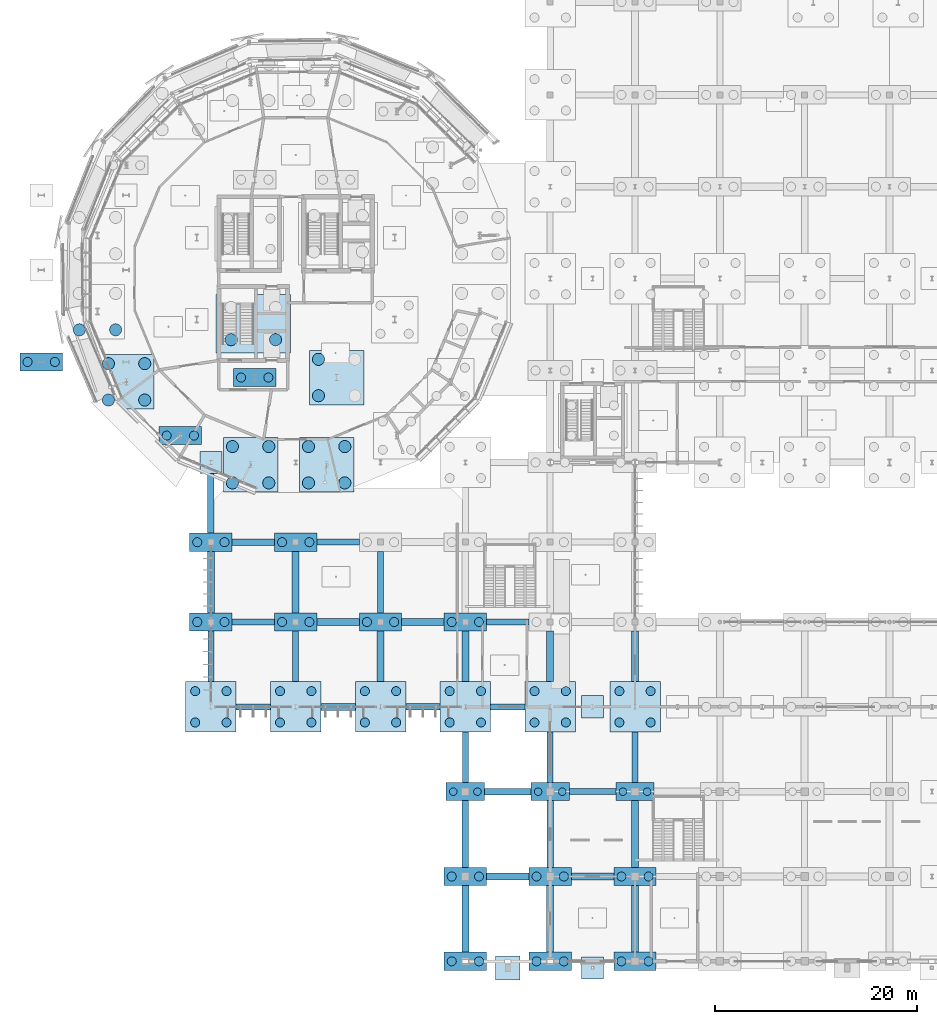
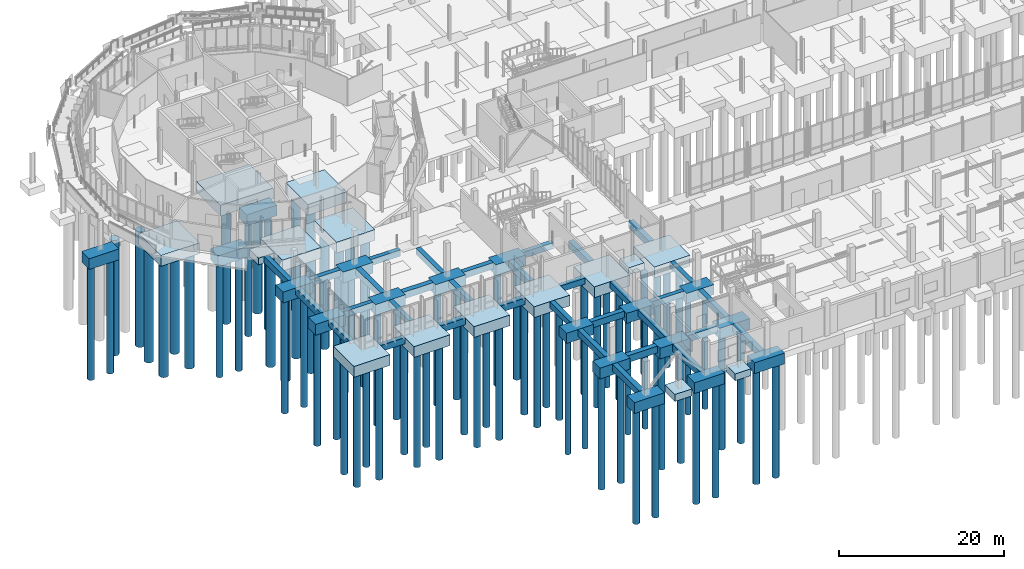
# One storey, part 1 of 119: 78 piles, 66 footings.
"""IFC4 building model written with IfcOpenShell, lengths in metres."""

from ifc_helpers import new_model, si_unit, derived_unit, direction, frame, origin, origin_2d, place, context, subcontext, project, spatial, rectangle, circle, extrude, material, layer, layer_set, material_profile, profile_set, type_object, element, save


model = new_model("IFC4")

# Units and contexts
model_context = context("Model", 3, precision=1e-05, world=origin(), true_north=direction((0.0, 1.0)))
body_context = subcontext(model_context, "Body", "Model", "MODEL_VIEW")
ifc_project = project(units=[si_unit("LENGTHUNIT", "METRE"), si_unit("AREAUNIT", "SQUARE_METRE"), si_unit("VOLUMEUNIT", "CUBIC_METRE"), si_unit("PLANEANGLEUNIT", "RADIAN"), si_unit("MASSUNIT", "GRAM", prefix="KILO"), derived_unit("THERMALTRANSMITTANCEUNIT", [(si_unit("MASSUNIT", "GRAM", prefix="KILO"), 1), (si_unit("TIMEUNIT", "SECOND"), -3), (si_unit("THERMODYNAMICTEMPERATUREUNIT", "KELVIN"), -1)])], contexts=[model_context])

# Site, building, storey
site_placement = place(None, origin())
site = spatial("IfcSite", under=ifc_project, at=site_placement, CompositionType="ELEMENT")
building_placement = place(site_placement, origin())
building = spatial("IfcBuilding", under=site, at=building_placement, Name="Makaiwela Harbour Ferry Terminal", CompositionType="ELEMENT")
storey_placement = place(building_placement, origin())
storey = spatial("IfcBuildingStorey", under=building, at=storey_placement, Name="L00", CompositionType="ELEMENT", Elevation=0.0)

# Footings
ifc_material_1 = material(Name="Concrete f'c 45 MPa (6500 psi)", Category="concrete")
ifc_layer_1 = layer(ifc_material_1, 1.0)
ifc_layer_set_1 = layer_set([ifc_layer_1], Name="Concrete f'c 45 MPa (6500 psi)")
footing_type_1 = type_object("IfcFootingType", Name="FND-PAD-01", PredefinedType="PAD_FOOTING", material=ifc_layer_set_1)
for number, where, z_axis, x_axis, name in (
    (1, (29.39990234375, 49.39990234375, -1.0), (0.0, 0.0, 1.0), (1.0, 0.0, 0.0), "Foundation Footing PF-01"),
    (2, (67.199951171875, 25.199951171875, -1.0), (0.0, 0.0, 1.0), (1.0, 0.0, 0.0), "Foundation Footing PF-01"),
    (3, (67.199951171875, -0.64990234375, -1.0), (0.0, 0.0, 1.0), (1.0, 0.0, 0.0), "Foundation Footing PF-01"),
):
    element("IfcFooting", number, at=place(storey_placement, frame(where, z_axis=z_axis, x_axis=x_axis)), inside=storey, type_object=footing_type_1, Name=name, PredefinedType="PAD_FOOTING", context=body_context, shape_type="SweptSolid", body=[
        extrude(rectangle(XDim=2.199951171875, YDim=2.199951171875, at=origin_2d()), origin(), (0.0, 0.0, 1.0), 1.0),
    ])
ifc_layer_2 = layer(ifc_material_1, 1.050048828125)
ifc_layer_set_2 = layer_set([ifc_layer_2], Name="Concrete f'c 45 MPa (6500 psi)")
footing_type_2 = type_object("IfcFootingType", Name="FND-PAD-03", PredefinedType="PAD_FOOTING", material=ifc_layer_set_2)
footing_1_placement = place(storey_placement, frame((58.800048828125, -0.64990234375, -1.0498046875), z_axis=(0.0, 0.0, 1.0), x_axis=(1.0, 0.0, 0.0)))
element("IfcFooting", 4, at=footing_1_placement, inside=storey, type_object=footing_type_2, Name="Foundation Footing PF-03", PredefinedType="PAD_FOOTING", context=body_context, shape_type="SweptSolid", body=[
    extrude(rectangle(XDim=2.39990234375, YDim=2.39990234375, at=origin_2d()), origin(), (0.0, 0.0, 1.0), 1.050048828125),
])
ifc_layer_3 = layer(ifc_material_1, 1.60009765625)
ifc_layer_set_3 = layer_set([ifc_layer_3], Name="Concrete f'c 45 MPa (6500 psi)")
footing_type_3 = type_object("IfcFootingType", Name="FND-PC-01", PredefinedType="PILE_CAP", material=ifc_layer_set_3)
for number, where, z_axis, x_axis, name in (
    (5, (33.74365234375, 57.806884765625, -1.60009765625), (0.0, 0.0, 1.0), (1.0, 0.0, 0.0), "Foundation Footing PC-01"),
    (6, (26.37744140625, 52.052490234375, -1.60009765625), (0.0, 0.0, 1.0), (1.0, 0.0, 0.0), "Foundation Footing PC-01"),
    (7, (12.60009765625, 59.35009765625, -1.60009765625), (0.0, 0.0, 1.0), (1.0, 0.0, 0.0), "Foundation Footing PC-01"),
    (8, (29.39990234375, 33.60009765625, -1.60009765625), (0.0, 0.0, 1.0), (1.0, 0.0, 0.0), "Foundation Footing PC-01"),
    (9, (29.39990234375, 41.5, -1.60009765625), (0.0, 0.0, 1.0), (1.0, 0.0, 0.0), "Foundation Footing PC-01"),
    (10, (37.800048828125, 33.60009765625, -1.60009765625), (0.0, 0.0, 1.0), (1.0, 0.0, 0.0), "Foundation Footing PC-01"),
    (11, (37.800048828125, 41.5, -1.60009765625), (0.0, 0.0, 1.0), (1.0, 0.0, 0.0), "Foundation Footing PC-01"),
    (12, (46.199951171875, 33.60009765625, -1.60009765625), (0.0, 0.0, 1.0), (1.0, 0.0, 0.0), "Foundation Footing PC-01"),
    (13, (54.60009765625, 33.60009765625, -1.60009765625), (0.0, 0.0, 1.0), (1.0, 0.0, 0.0), "Foundation Footing PC-01"),
    (14, (54.60009765625, 0.0, -1.60009765625), (0.0, 0.0, 1.0), (1.0, 0.0, 0.0), "Foundation Footing PC-01"),
    (15, (54.60009765625, 8.39990234375, -1.60009765625), (0.0, 0.0, 1.0), (1.0, 0.0, 0.0), "Foundation Footing PC-01"),
    (16, (63.0, 0.0, -1.60009765625), (0.0, 0.0, 1.0), (1.0, 0.0, 0.0), "Foundation Footing PC-01"),
    (17, (63.0, 8.39990234375, -1.60009765625), (0.0, 0.0, 1.0), (1.0, 0.0, 0.0), "Foundation Footing PC-01"),
    (18, (71.39990234375, 0.0, -1.60009765625), (0.0, 0.0, 1.0), (1.0, 0.0, 0.0), "Foundation Footing PC-01"),
    (19, (71.39990234375, 8.39990234375, -1.60009765625), (0.0, 0.0, 1.0), (1.0, 0.0, 0.0), "Foundation Footing PC-01"),
):
    element("IfcFooting", number, at=place(storey_placement, frame(where, z_axis=z_axis, x_axis=x_axis)), inside=storey, type_object=footing_type_3, Name=name, PredefinedType="PILE_CAP", context=body_context, shape_type="SweptSolid", body=[
        extrude(rectangle(XDim=4.199951171875, YDim=1.800048828125, at=origin_2d()), origin(), (0.0, 0.0, 1.0), 1.60009765625),
    ])
ifc_layer_4 = layer(ifc_material_1, 1.60009765625)
ifc_layer_set_4 = layer_set([ifc_layer_4], Name="Concrete f'c 45 MPa (6500 psi)")
footing_type_4 = type_object("IfcFootingType", Name="FND-PC-04", PredefinedType="PILE_CAP", material=ifc_layer_set_4)
for number, where, z_axis, x_axis, name in (
    (20, (29.39990234375, 25.199951171875, -1.60009765625), (0.0, 0.0, 1.0), (1.0, 0.0, 0.0), "Foundation Footing PC-04"),
    (21, (37.800048828125, 25.199951171875, -1.60009765625), (0.0, 0.0, 1.0), (1.0, 0.0, 0.0), "Foundation Footing PC-04"),
    (22, (46.199951171875, 25.199951171875, -1.60009765625), (0.0, 0.0, 1.0), (1.0, 0.0, 0.0), "Foundation Footing PC-04"),
    (23, (54.60009765625, 25.199951171875, -1.60009765625), (0.0, 0.0, 1.0), (1.0, 0.0, 0.0), "Foundation Footing PC-04"),
    (24, (63.0, 25.199951171875, -1.60009765625), (0.0, 0.0, 1.0), (1.0, 0.0, 0.0), "Foundation Footing PC-04"),
    (25, (71.39990234375, 25.199951171875, -1.60009765625), (0.0, 0.0, 1.0), (1.0, 0.0, 0.0), "Foundation Footing PC-04"),
):
    element("IfcFooting", number, at=place(storey_placement, frame(where, z_axis=z_axis, x_axis=x_axis)), inside=storey, type_object=footing_type_4, Name=name, PredefinedType="PILE_CAP", context=body_context, shape_type="SweptSolid", body=[
        extrude(rectangle(XDim=5.0, YDim=5.0, at=origin_2d()), origin(), (0.0, 0.0, 1.0), 1.60009765625),
    ])
ifc_layer_5 = layer(ifc_material_1, 1.60009765625)
ifc_layer_set_5 = layer_set([ifc_layer_5], Name="Concrete f'c 45 MPa (6500 psi)")
footing_type_5 = type_object("IfcFootingType", Name="FND-PC-05", PredefinedType="PILE_CAP", material=ifc_layer_set_5)
for number, where, z_axis, x_axis, name in (
    (26, (41.8564453125, 57.806884765625, -1.60009765625), (0.0, 0.0, 1.0), (1.0, 0.0, 0.0), "Foundation Footing PC-05"),
    (27, (21.052490234375, 57.37744140625, -1.60009765625), (0.0, 0.0, 1.0), (1.0, 0.0, 0.0), "Foundation Footing PC-05"),
    (28, (33.334716796875, 49.1708984375, -1.60009765625), (0.0, 0.0, 1.0), (1.0, 0.0, 0.0), "Foundation Footing PC-05"),
    (29, (40.865234375, 49.1708984375, -1.60009765625), (0.0, 0.0, 1.0), (1.0, 0.0, 0.0), "Foundation Footing PC-05"),
):
    element("IfcFooting", number, at=place(storey_placement, frame(where, z_axis=z_axis, x_axis=x_axis)), inside=storey, type_object=footing_type_5, Name=name, PredefinedType="PILE_CAP", context=body_context, shape_type="SweptSolid", body=[
        extrude(rectangle(XDim=5.39990234375, YDim=5.39990234375, at=origin_2d()), origin(), (0.0, 0.0, 1.0), 1.60009765625),
    ])
ifc_layer_6 = layer(ifc_material_1, 1.5)
ifc_layer_set_6 = layer_set([ifc_layer_6], Name="Concrete f'c 45 MPa (6500 psi)")
footing_type_6 = type_object("IfcFootingType", Name="FND-PC-07", PredefinedType="PILE_CAP", material=ifc_layer_set_6)
for number, where, z_axis, x_axis, name in (
    (30, (54.60009765625, 16.800048828125, -1.5), (0.0, 0.0, 1.0), (1.0, 0.0, 0.0), "Foundation Footing PC-07"),
    (31, (63.0, 16.800048828125, -1.5), (0.0, 0.0, 1.0), (1.0, 0.0, 0.0), "Foundation Footing PC-07"),
    (32, (71.39990234375, 16.800048828125, -1.5), (0.0, 0.0, 1.0), (1.0, 0.0, 0.0), "Foundation Footing PC-07"),
):
    element("IfcFooting", number, at=place(storey_placement, frame(where, z_axis=z_axis, x_axis=x_axis)), inside=storey, type_object=footing_type_6, Name=name, PredefinedType="PILE_CAP", context=body_context, shape_type="SweptSolid", body=[
        extrude(rectangle(XDim=3.800048828125, YDim=1.800048828125, at=origin_2d()), origin(), (0.0, 0.0, 1.0), 1.5),
    ])
ifc_layer_7 = layer(ifc_material_1, 1.60009765625)
ifc_layer_set_7 = layer_set([ifc_layer_7], Name="Concrete f'c 45 MPa (6500 psi)")
footing_type_7 = type_object("IfcFootingType", Name="FND-PC-08", PredefinedType="PILE_CAP", material=ifc_layer_set_7)
footing_2_placement = place(storey_placement, frame((33.60009765625, 63.14990234375, -1.60009765625), z_axis=(0.0, 0.0, 1.0), x_axis=(1.0, 0.0, 0.0)))
element("IfcFooting", 33, at=footing_2_placement, inside=storey, type_object=footing_type_7, Name="Foundation Footing PC-08", PredefinedType="PILE_CAP", context=body_context, shape_type="SweptSolid", body=[
    extrude(rectangle(XDim=7.39990234375, YDim=5.800048828125, at=origin_2d()), origin(), (0.0, 0.0, 1.0), 1.60009765625),
])

# Piles
ifc_material_profile_1 = material_profile(ifc_material_1, circle(Radius=0.60009765625, at=origin_2d()), Name="PILE-D1200")
ifc_profile_set_1 = profile_set([ifc_material_profile_1], Name="Concrete f'c 45 MPa (6500 psi)")
pile_type_1 = type_object("IfcPileType", Name="FND-PIL-D1200", PredefinedType="BORED", material=ifc_profile_set_1)
for number, where, z_axis, x_axis, name in (
    (34, (31.39990234375, 61.550048828125, -1.449951171875), (0.0, 0.0, -1.0), (1.0, 0.0, 0.0), "Marine Pile MP-02"),
    (35, (35.800048828125, 61.550048828125, -1.449951171875), (0.0, 0.0, -1.0), (1.0, 0.0, 0.0), "Marine Pile MP-02"),
    (36, (40.056396484375, 56.0068359375, -1.449951171875), (0.0, 0.0, -1.0), (1.0, 0.0, 0.0), "Marine Pile MP-02"),
    (37, (40.056396484375, 59.60693359375, -1.449951171875), (0.0, 0.0, -1.0), (1.0, 0.0, 0.0), "Marine Pile MP-02"),
    (38, (16.370849609375, 62.534912109375, -1.449951171875), (0.0, 0.0, -1.0), (1.0, 0.0, 0.0), "Marine Pile MP-02"),
    (39, (19.970703125, 62.534912109375, -1.449951171875), (0.0, 0.0, -1.0), (1.0, 0.0, 0.0), "Marine Pile MP-02"),
    (40, (19.252685546875, 55.577392578125, -1.449951171875), (0.0, 0.0, -1.0), (1.0, 0.0, 0.0), "Marine Pile MP-02"),
    (41, (22.8525390625, 55.577392578125, -1.449951171875), (0.0, 0.0, -1.0), (1.0, 0.0, 0.0), "Marine Pile MP-02"),
    (42, (19.252685546875, 59.177490234375, -1.449951171875), (0.0, 0.0, -1.0), (1.0, 0.0, 0.0), "Marine Pile MP-02"),
    (43, (22.8525390625, 59.177490234375, -1.449951171875), (0.0, 0.0, -1.0), (1.0, 0.0, 0.0), "Marine Pile MP-02"),
    (44, (31.534912109375, 47.370849609375, -1.449951171875), (0.0, 0.0, -1.0), (1.0, 0.0, 0.0), "Marine Pile MP-02"),
    (45, (35.134765625, 47.370849609375, -1.449951171875), (0.0, 0.0, -1.0), (1.0, 0.0, 0.0), "Marine Pile MP-02"),
    (46, (31.534912109375, 50.970703125, -1.449951171875), (0.0, 0.0, -1.0), (1.0, 0.0, 0.0), "Marine Pile MP-02"),
    (47, (35.134765625, 50.970703125, -1.449951171875), (0.0, 0.0, -1.0), (1.0, 0.0, 0.0), "Marine Pile MP-02"),
    (48, (39.065185546875, 47.370849609375, -1.449951171875), (0.0, 0.0, -1.0), (1.0, 0.0, 0.0), "Marine Pile MP-02"),
    (49, (42.665283203125, 47.370849609375, -1.449951171875), (0.0, 0.0, -1.0), (1.0, 0.0, 0.0), "Marine Pile MP-02"),
    (50, (39.065185546875, 50.970703125, -1.449951171875), (0.0, 0.0, -1.0), (1.0, 0.0, 0.0), "Marine Pile MP-02"),
    (51, (42.665283203125, 50.970703125, -1.449951171875), (0.0, 0.0, -1.0), (1.0, 0.0, 0.0), "Marine Pile MP-02"),
):
    element("IfcPile", number, at=place(storey_placement, frame(where, z_axis=z_axis, x_axis=x_axis)), inside=storey, type_object=pile_type_1, Name=name, PredefinedType="BORED", context=body_context, shape_type="SweptSolid", body=[
        extrude(circle(Radius=0.60009765625, at=origin_2d()), origin(), (0.0, 0.0, 1.0), 17.050048828125),
    ])
ifc_material_2 = material(Name="Precast concrete f'c 45 MPa (6500 psi)", Category="concrete")
ifc_material_profile_2 = material_profile(ifc_material_2, circle(Radius=0.375, at=origin_2d()), Name="PILE-D750")
ifc_profile_set_2 = profile_set([ifc_material_profile_2], Name="Precast concrete f'c 45 MPa (6500 psi)")
pile_type_2 = type_object("IfcPileType", Name="FND-PIL-D750", PredefinedType="DRIVEN", material=ifc_profile_set_2)
for number, where, z_axis, x_axis, name in (
    (52, (53.39990234375, 16.800048828125, -1.35009765625), (0.0, 0.0, -1.0), (1.0, 0.0, 0.0), "Marine Pile MP-03"),
    (53, (55.800048828125, 16.800048828125, -1.35009765625), (0.0, 0.0, -1.0), (1.0, 0.0, 0.0), "Marine Pile MP-03"),
    (54, (61.800048828125, 16.800048828125, -1.35009765625), (0.0, 0.0, -1.0), (1.0, 0.0, 0.0), "Marine Pile MP-03"),
    (55, (64.199951171875, 16.800048828125, -1.35009765625), (0.0, 0.0, -1.0), (1.0, 0.0, 0.0), "Marine Pile MP-03"),
    (56, (70.199951171875, 16.800048828125, -1.35009765625), (0.0, 0.0, -1.0), (1.0, 0.0, 0.0), "Marine Pile MP-03"),
    (57, (72.60009765625, 16.800048828125, -1.35009765625), (0.0, 0.0, -1.0), (1.0, 0.0, 0.0), "Marine Pile MP-03"),
):
    element("IfcPile", number, at=place(storey_placement, frame(where, z_axis=z_axis, x_axis=x_axis)), inside=storey, type_object=pile_type_2, Name=name, PredefinedType="DRIVEN", context=body_context, shape_type="SweptSolid", body=[
        extrude(circle(Radius=0.375, at=origin_2d()), origin(), (0.0, 0.0, 1.0), 17.14990234375),
    ])
ifc_material_profile_3 = material_profile(ifc_material_1, circle(Radius=0.449951171875, at=origin_2d()), Name="PILE-D900")
ifc_profile_set_3 = profile_set([ifc_material_profile_3], Name="Concrete f'c 45 MPa (6500 psi)")
pile_type_3 = type_object("IfcPileType", Name="FND-PIL-D900", PredefinedType="BORED", material=ifc_profile_set_3)
for number, where, z_axis, x_axis, name in (
    (58, (32.3935546875, 57.806884765625, -1.449951171875), (0.0, 0.0, -1.0), (1.0, 0.0, 0.0), "Marine Pile MP-01"),
    (59, (35.093505859375, 57.806884765625, -1.449951171875), (0.0, 0.0, -1.0), (1.0, 0.0, 0.0), "Marine Pile MP-01"),
    (60, (25.027587890625, 52.052490234375, -1.449951171875), (0.0, 0.0, -1.0), (1.0, 0.0, 0.0), "Marine Pile MP-01"),
    (61, (27.7275390625, 52.052490234375, -1.449951171875), (0.0, 0.0, -1.0), (1.0, 0.0, 0.0), "Marine Pile MP-01"),
    (62, (11.25, 59.35009765625, -1.449951171875), (0.0, 0.0, -1.0), (1.0, 0.0, 0.0), "Marine Pile MP-01"),
    (63, (13.949951171875, 59.35009765625, -1.449951171875), (0.0, 0.0, -1.0), (1.0, 0.0, 0.0), "Marine Pile MP-01"),
    (64, (27.85009765625, 23.64990234375, -1.449951171875), (0.0, 0.0, -1.0), (1.0, 0.0, 0.0), "Marine Pile MP-01"),
    (65, (30.949951171875, 23.64990234375, -1.449951171875), (0.0, 0.0, -1.0), (1.0, 0.0, 0.0), "Marine Pile MP-01"),
    (66, (27.85009765625, 26.75, -1.449951171875), (0.0, 0.0, -1.0), (1.0, 0.0, 0.0), "Marine Pile MP-01"),
    (67, (30.949951171875, 26.75, -1.449951171875), (0.0, 0.0, -1.0), (1.0, 0.0, 0.0), "Marine Pile MP-01"),
    (68, (28.050048828125, 33.60009765625, -1.449951171875), (0.0, 0.0, -1.0), (1.0, 0.0, 0.0), "Marine Pile MP-01"),
    (69, (30.75, 33.60009765625, -1.449951171875), (0.0, 0.0, -1.0), (1.0, 0.0, 0.0), "Marine Pile MP-01"),
    (70, (28.050048828125, 41.5, -1.449951171875), (0.0, 0.0, -1.0), (1.0, 0.0, 0.0), "Marine Pile MP-01"),
    (71, (30.75, 41.5, -1.449951171875), (0.0, 0.0, -1.0), (1.0, 0.0, 0.0), "Marine Pile MP-01"),
    (72, (36.25, 23.64990234375, -1.449951171875), (0.0, 0.0, -1.0), (1.0, 0.0, 0.0), "Marine Pile MP-01"),
    (73, (39.35009765625, 23.64990234375, -1.449951171875), (0.0, 0.0, -1.0), (1.0, 0.0, 0.0), "Marine Pile MP-01"),
    (74, (36.25, 26.75, -1.449951171875), (0.0, 0.0, -1.0), (1.0, 0.0, 0.0), "Marine Pile MP-01"),
    (75, (39.35009765625, 26.75, -1.449951171875), (0.0, 0.0, -1.0), (1.0, 0.0, 0.0), "Marine Pile MP-01"),
    (76, (36.449951171875, 33.60009765625, -1.449951171875), (0.0, 0.0, -1.0), (1.0, 0.0, 0.0), "Marine Pile MP-01"),
    (77, (39.14990234375, 33.60009765625, -1.449951171875), (0.0, 0.0, -1.0), (1.0, 0.0, 0.0), "Marine Pile MP-01"),
    (78, (36.449951171875, 41.5, -1.449951171875), (0.0, 0.0, -1.0), (1.0, 0.0, 0.0), "Marine Pile MP-01"),
    (79, (39.14990234375, 41.5, -1.449951171875), (0.0, 0.0, -1.0), (1.0, 0.0, 0.0), "Marine Pile MP-01"),
    (80, (44.64990234375, 23.64990234375, -1.449951171875), (0.0, 0.0, -1.0), (1.0, 0.0, 0.0), "Marine Pile MP-01"),
    (81, (47.75, 23.64990234375, -1.449951171875), (0.0, 0.0, -1.0), (1.0, 0.0, 0.0), "Marine Pile MP-01"),
    (82, (44.64990234375, 26.75, -1.449951171875), (0.0, 0.0, -1.0), (1.0, 0.0, 0.0), "Marine Pile MP-01"),
    (83, (47.75, 26.75, -1.449951171875), (0.0, 0.0, -1.0), (1.0, 0.0, 0.0), "Marine Pile MP-01"),
    (84, (44.85009765625, 33.60009765625, -1.449951171875), (0.0, 0.0, -1.0), (1.0, 0.0, 0.0), "Marine Pile MP-01"),
    (85, (47.550048828125, 33.60009765625, -1.449951171875), (0.0, 0.0, -1.0), (1.0, 0.0, 0.0), "Marine Pile MP-01"),
    (86, (53.050048828125, 23.64990234375, -1.449951171875), (0.0, 0.0, -1.0), (1.0, 0.0, 0.0), "Marine Pile MP-01"),
    (87, (56.14990234375, 23.64990234375, -1.449951171875), (0.0, 0.0, -1.0), (1.0, 0.0, 0.0), "Marine Pile MP-01"),
    (88, (53.050048828125, 26.75, -1.449951171875), (0.0, 0.0, -1.0), (1.0, 0.0, 0.0), "Marine Pile MP-01"),
    (89, (56.14990234375, 26.75, -1.449951171875), (0.0, 0.0, -1.0), (1.0, 0.0, 0.0), "Marine Pile MP-01"),
    (90, (53.25, 33.60009765625, -1.449951171875), (0.0, 0.0, -1.0), (1.0, 0.0, 0.0), "Marine Pile MP-01"),
    (91, (55.949951171875, 33.60009765625, -1.449951171875), (0.0, 0.0, -1.0), (1.0, 0.0, 0.0), "Marine Pile MP-01"),
    (92, (61.449951171875, 23.64990234375, -1.449951171875), (0.0, 0.0, -1.0), (1.0, 0.0, 0.0), "Marine Pile MP-01"),
    (93, (64.550048828125, 23.64990234375, -1.449951171875), (0.0, 0.0, -1.0), (1.0, 0.0, 0.0), "Marine Pile MP-01"),
    (94, (61.449951171875, 26.75, -1.449951171875), (0.0, 0.0, -1.0), (1.0, 0.0, 0.0), "Marine Pile MP-01"),
    (95, (64.550048828125, 26.75, -1.449951171875), (0.0, 0.0, -1.0), (1.0, 0.0, 0.0), "Marine Pile MP-01"),
    (96, (69.85009765625, 23.64990234375, -1.449951171875), (0.0, 0.0, -1.0), (1.0, 0.0, 0.0), "Marine Pile MP-01"),
    (97, (72.949951171875, 23.64990234375, -1.449951171875), (0.0, 0.0, -1.0), (1.0, 0.0, 0.0), "Marine Pile MP-01"),
    (98, (69.85009765625, 26.75, -1.449951171875), (0.0, 0.0, -1.0), (1.0, 0.0, 0.0), "Marine Pile MP-01"),
    (99, (72.949951171875, 26.75, -1.449951171875), (0.0, 0.0, -1.0), (1.0, 0.0, 0.0), "Marine Pile MP-01"),
    (100, (53.25, 0.0, -1.449951171875), (0.0, 0.0, -1.0), (1.0, 0.0, 0.0), "Marine Pile MP-01"),
    (101, (55.949951171875, 0.0, -1.449951171875), (0.0, 0.0, -1.0), (1.0, 0.0, 0.0), "Marine Pile MP-01"),
    (102, (53.25, 8.39990234375, -1.449951171875), (0.0, 0.0, -1.0), (1.0, 0.0, 0.0), "Marine Pile MP-01"),
    (103, (55.949951171875, 8.39990234375, -1.449951171875), (0.0, 0.0, -1.0), (1.0, 0.0, 0.0), "Marine Pile MP-01"),
    (104, (61.64990234375, 0.0, -1.449951171875), (0.0, 0.0, -1.0), (1.0, 0.0, 0.0), "Marine Pile MP-01"),
    (105, (64.35009765625, 0.0, -1.449951171875), (0.0, 0.0, -1.0), (1.0, 0.0, 0.0), "Marine Pile MP-01"),
    (106, (61.64990234375, 8.39990234375, -1.449951171875), (0.0, 0.0, -1.0), (1.0, 0.0, 0.0), "Marine Pile MP-01"),
    (107, (64.35009765625, 8.39990234375, -1.449951171875), (0.0, 0.0, -1.0), (1.0, 0.0, 0.0), "Marine Pile MP-01"),
    (108, (70.050048828125, 0.0, -1.449951171875), (0.0, 0.0, -1.0), (1.0, 0.0, 0.0), "Marine Pile MP-01"),
    (109, (72.75, 0.0, -1.449951171875), (0.0, 0.0, -1.0), (1.0, 0.0, 0.0), "Marine Pile MP-01"),
    (110, (70.050048828125, 8.39990234375, -1.449951171875), (0.0, 0.0, -1.0), (1.0, 0.0, 0.0), "Marine Pile MP-01"),
    (111, (72.75, 8.39990234375, -1.449951171875), (0.0, 0.0, -1.0), (1.0, 0.0, 0.0), "Marine Pile MP-01"),
):
    element("IfcPile", number, at=place(storey_placement, frame(where, z_axis=z_axis, x_axis=x_axis)), inside=storey, type_object=pile_type_3, Name=name, PredefinedType="BORED", context=body_context, shape_type="SweptSolid", body=[
        extrude(circle(Radius=0.449951171875, at=origin_2d()), origin(), (0.0, 0.0, 1.0), 17.050048828125),
    ])

# Footings
ifc_layer_8 = layer(ifc_material_1, 0.89990234375)
ifc_layer_set_8 = layer_set([ifc_layer_8], Name="Concrete f'c 45 MPa (6500 psi)")
footing_type_8 = type_object("IfcFootingType", Name="FND-TB-01", PredefinedType="FOOTING_BEAM", material=ifc_layer_set_8)
footing_3_placement = place(storey_placement, frame((67.199951171875, 16.800048828125, -0.89990234375), z_axis=(0.0, 0.0, 1.0), x_axis=(1.0, 0.0, 0.0)))
element("IfcFooting", 112, at=footing_3_placement, inside=storey, type_object=footing_type_8, Name="Foundation Footing TB-01", PredefinedType="FOOTING_BEAM", context=body_context, shape_type="SweptSolid", body=[
    extrude(rectangle(XDim=4.60009765625, YDim=0.60009765625, at=origin_2d()), origin(), (0.0, 0.0, 1.0), 0.89990234375),
])
for number, where, z_axis, x_axis, name in (
    (113, (33.60009765625, 25.199951171875, -0.89990234375), (0.0, 0.0, 1.0), (1.0, 0.0, 0.0), "Foundation Footing TB-01"),
    (114, (58.800048828125, 25.199951171875, -0.89990234375), (0.0, 0.0, 1.0), (1.0, 0.0, 0.0), "Foundation Footing TB-01"),
):
    element("IfcFooting", number, at=place(storey_placement, frame(where, z_axis=z_axis, x_axis=x_axis)), inside=storey, type_object=footing_type_8, Name=name, PredefinedType="FOOTING_BEAM", context=body_context, shape_type="SweptSolid", body=[
        extrude(rectangle(XDim=3.39990234375, YDim=0.60009765625, at=origin_2d()), origin(), (0.0, 0.0, 1.0), 0.89990234375),
    ])
for number, where, z_axis, x_axis, name in (
    (115, (33.60009765625, 33.60009765625, -0.89990234375), (0.0, 0.0, 1.0), (1.0, 0.0, 0.0), "Foundation Footing TB-01"),
    (116, (58.800048828125, 33.60009765625, -0.89990234375), (0.0, 0.0, 1.0), (1.0, 0.0, 0.0), "Foundation Footing TB-01"),
    (117, (42.0, 41.5, -0.89990234375), (0.0, 0.0, 1.0), (1.0, 0.0, 0.0), "Foundation Footing TB-01"),
):
    element("IfcFooting", number, at=place(storey_placement, frame(where, z_axis=z_axis, x_axis=x_axis)), inside=storey, type_object=footing_type_8, Name=name, PredefinedType="FOOTING_BEAM", context=body_context, shape_type="SweptSolid", body=[
        extrude(rectangle(XDim=4.199951171875, YDim=0.60009765625, at=origin_2d()), origin(), (0.0, 0.0, 1.0), 0.89990234375),
    ])
for number, where, z_axis, x_axis, name in (
    (118, (29.39990234375, 30.199951171875, -0.89990234375), (0.0, 0.0, 1.0), (0.0, 1.0, 0.0), "Foundation Footing TB-01"),
    (119, (37.800048828125, 30.199951171875, -0.89990234375), (0.0, 0.0, 1.0), (0.0, 1.0, 0.0), "Foundation Footing TB-01"),
):
    element("IfcFooting", number, at=place(storey_placement, frame(where, z_axis=z_axis, x_axis=x_axis)), inside=storey, type_object=footing_type_8, Name=name, PredefinedType="FOOTING_BEAM", context=body_context, shape_type="SweptSolid", body=[
        extrude(rectangle(XDim=5.0, YDim=0.60009765625, at=origin_2d()), origin(), (0.0, 0.0, 1.0), 0.89990234375),
    ])
footing_4_placement = place(storey_placement, frame((46.199951171875, 37.550048828125, -0.89990234375), z_axis=(0.0, 0.0, 1.0), x_axis=(0.0, 1.0, 0.0)))
element("IfcFooting", 120, at=footing_4_placement, inside=storey, type_object=footing_type_8, Name="Foundation Footing TB-01", PredefinedType="FOOTING_BEAM", context=body_context, shape_type="SweptSolid", body=[
    extrude(rectangle(XDim=6.10009765625, YDim=0.60009765625, at=origin_2d()), origin(), (0.0, 0.0, 1.0), 0.89990234375),
])
for number, where, z_axis, x_axis, name in (
    (121, (54.60009765625, 20.199951171875, -0.89990234375), (0.0, 0.0, 1.0), (0.0, 1.0, 0.0), "Foundation Footing TB-01"),
    (122, (63.0, 20.199951171875, -0.89990234375), (0.0, 0.0, 1.0), (0.0, 1.0, 0.0), "Foundation Footing TB-01"),
    (123, (71.39990234375, 20.199951171875, -0.89990234375), (0.0, 0.0, 1.0), (0.0, 1.0, 0.0), "Foundation Footing TB-01"),
):
    element("IfcFooting", number, at=place(storey_placement, frame(where, z_axis=z_axis, x_axis=x_axis)), inside=storey, type_object=footing_type_8, Name=name, PredefinedType="FOOTING_BEAM", context=body_context, shape_type="SweptSolid", body=[
        extrude(rectangle(XDim=5.0, YDim=0.60009765625, at=origin_2d()), origin(), (0.0, 0.0, 1.0), 0.89990234375),
    ])
ifc_layer_9 = layer(ifc_material_1, 1.0)
ifc_layer_set_9 = layer_set([ifc_layer_9], Name="Concrete f'c 45 MPa (6500 psi)")
footing_type_9 = type_object("IfcFootingType", Name="FND-TB-02", PredefinedType="FOOTING_BEAM", material=ifc_layer_set_9)
footing_5_placement = place(storey_placement, frame((58.800048828125, 8.39990234375, -1.0), z_axis=(0.0, 0.0, 1.0), x_axis=(1.0, 0.0, 0.0)))
element("IfcFooting", 124, at=footing_5_placement, inside=storey, type_object=footing_type_9, Name="Foundation Footing TB-02", PredefinedType="FOOTING_BEAM", context=body_context, shape_type="SweptSolid", body=[
    extrude(rectangle(XDim=4.199951171875, YDim=0.699951171875, at=origin_2d()), origin(), (0.0, 0.0, 1.0), 1.0),
])
footing_6_placement = place(storey_placement, frame((42.0, 25.199951171875, -1.0), z_axis=(0.0, 0.0, 1.0), x_axis=(1.0, 0.0, 0.0)))
element("IfcFooting", 125, at=footing_6_placement, inside=storey, type_object=footing_type_9, Name="Foundation Footing TB-02", PredefinedType="FOOTING_BEAM", context=body_context, shape_type="SweptSolid", body=[
    extrude(rectangle(XDim=3.39990234375, YDim=0.699951171875, at=origin_2d()), origin(), (0.0, 0.0, 1.0), 1.0),
])
footing_7_placement = place(storey_placement, frame((42.0, 33.60009765625, -1.0), z_axis=(0.0, 0.0, 1.0), x_axis=(1.0, 0.0, 0.0)))
element("IfcFooting", 126, at=footing_7_placement, inside=storey, type_object=footing_type_9, Name="Foundation Footing TB-02", PredefinedType="FOOTING_BEAM", context=body_context, shape_type="SweptSolid", body=[
    extrude(rectangle(XDim=4.199951171875, YDim=0.699951171875, at=origin_2d()), origin(), (0.0, 0.0, 1.0), 1.0),
])
for number, where, z_axis, x_axis, name in (
    (127, (29.39990234375, 37.550048828125, -1.0), (0.0, 0.0, 1.0), (0.0, 1.0, 0.0), "Foundation Footing TB-02"),
    (128, (37.800048828125, 37.550048828125, -1.0), (0.0, 0.0, 1.0), (0.0, 1.0, 0.0), "Foundation Footing TB-02"),
):
    element("IfcFooting", number, at=place(storey_placement, frame(where, z_axis=z_axis, x_axis=x_axis)), inside=storey, type_object=footing_type_9, Name=name, PredefinedType="FOOTING_BEAM", context=body_context, shape_type="SweptSolid", body=[
        extrude(rectangle(XDim=6.10009765625, YDim=0.699951171875, at=origin_2d()), origin(), (0.0, 0.0, 1.0), 1.0),
    ])
footing_8_placement = place(storey_placement, frame((54.60009765625, 4.199951171875, -1.0), z_axis=(0.0, 0.0, 1.0), x_axis=(0.0, 1.0, 0.0)))
element("IfcFooting", 129, at=footing_8_placement, inside=storey, type_object=footing_type_9, Name="Foundation Footing TB-02", PredefinedType="FOOTING_BEAM", context=body_context, shape_type="SweptSolid", body=[
    extrude(rectangle(XDim=6.60009765625, YDim=0.699951171875, at=origin_2d()), origin(), (0.0, 0.0, 1.0), 1.0),
])
footing_9_placement = place(storey_placement, frame((54.60009765625, 30.199951171875, -1.0), z_axis=(0.0, 0.0, 1.0), x_axis=(0.0, 1.0, 0.0)))
element("IfcFooting", 130, at=footing_9_placement, inside=storey, type_object=footing_type_9, Name="Foundation Footing TB-02", PredefinedType="FOOTING_BEAM", context=body_context, shape_type="SweptSolid", body=[
    extrude(rectangle(XDim=5.0, YDim=0.699951171875, at=origin_2d()), origin(), (0.0, 0.0, 1.0), 1.0),
])
footing_10_placement = place(storey_placement, frame((63.0, 4.199951171875, -1.0), z_axis=(0.0, 0.0, 1.0), x_axis=(0.0, 1.0, 0.0)))
element("IfcFooting", 131, at=footing_10_placement, inside=storey, type_object=footing_type_9, Name="Foundation Footing TB-02", PredefinedType="FOOTING_BEAM", context=body_context, shape_type="SweptSolid", body=[
    extrude(rectangle(XDim=6.60009765625, YDim=0.699951171875, at=origin_2d()), origin(), (0.0, 0.0, 1.0), 1.0),
])
footing_11_placement = place(storey_placement, frame((63.0, 30.199951171875, -1.0), z_axis=(0.0, 0.0, 1.0), x_axis=(0.0, 1.0, 0.0)))
element("IfcFooting", 132, at=footing_11_placement, inside=storey, type_object=footing_type_9, Name="Foundation Footing TB-02", PredefinedType="FOOTING_BEAM", context=body_context, shape_type="SweptSolid", body=[
    extrude(rectangle(XDim=5.0, YDim=0.699951171875, at=origin_2d()), origin(), (0.0, 0.0, 1.0), 1.0),
])
footing_12_placement = place(storey_placement, frame((71.39990234375, 4.199951171875, -1.0), z_axis=(0.0, 0.0, 1.0), x_axis=(0.0, 1.0, 0.0)))
element("IfcFooting", 133, at=footing_12_placement, inside=storey, type_object=footing_type_9, Name="Foundation Footing TB-02", PredefinedType="FOOTING_BEAM", context=body_context, shape_type="SweptSolid", body=[
    extrude(rectangle(XDim=6.60009765625, YDim=0.699951171875, at=origin_2d()), origin(), (0.0, 0.0, 1.0), 1.0),
])
footing_13_placement = place(storey_placement, frame((71.39990234375, 30.199951171875, -1.0), z_axis=(0.0, 0.0, 1.0), x_axis=(0.0, 1.0, 0.0)))
element("IfcFooting", 134, at=footing_13_placement, inside=storey, type_object=footing_type_9, Name="Foundation Footing TB-02", PredefinedType="FOOTING_BEAM", context=body_context, shape_type="SweptSolid", body=[
    extrude(rectangle(XDim=5.0, YDim=0.699951171875, at=origin_2d()), origin(), (0.0, 0.0, 1.0), 1.0),
])
ifc_layer_10 = layer(ifc_material_1, 0.949951171875)
ifc_layer_set_10 = layer_set([ifc_layer_10], Name="Concrete f'c 45 MPa (6500 psi)")
footing_type_10 = type_object("IfcFootingType", Name="FND-TB-03", PredefinedType="FOOTING_BEAM", material=ifc_layer_set_10)
footing_14_placement = place(storey_placement, frame((67.199951171875, 8.39990234375, -0.9501953125), z_axis=(0.0, 0.0, 1.0), x_axis=(1.0, 0.0, 0.0)))
element("IfcFooting", 135, at=footing_14_placement, inside=storey, type_object=footing_type_10, Name="Foundation Footing TB-03", PredefinedType="FOOTING_BEAM", context=body_context, shape_type="SweptSolid", body=[
    extrude(rectangle(XDim=4.199951171875, YDim=0.64990234375, at=origin_2d()), origin(), (0.0, 0.0, 1.0), 0.949951171875),
])
footing_15_placement = place(storey_placement, frame((58.800048828125, 16.800048828125, -0.9501953125), z_axis=(0.0, 0.0, 1.0), x_axis=(1.0, 0.0, 0.0)))
element("IfcFooting", 136, at=footing_15_placement, inside=storey, type_object=footing_type_10, Name="Foundation Footing TB-03", PredefinedType="FOOTING_BEAM", context=body_context, shape_type="SweptSolid", body=[
    extrude(rectangle(XDim=4.60009765625, YDim=0.64990234375, at=origin_2d()), origin(), (0.0, 0.0, 1.0), 0.949951171875),
])
footing_16_placement = place(storey_placement, frame((50.39990234375, 25.199951171875, -0.9501953125), z_axis=(0.0, 0.0, 1.0), x_axis=(1.0, 0.0, 0.0)))
element("IfcFooting", 137, at=footing_16_placement, inside=storey, type_object=footing_type_10, Name="Foundation Footing TB-03", PredefinedType="FOOTING_BEAM", context=body_context, shape_type="SweptSolid", body=[
    extrude(rectangle(XDim=3.39990234375, YDim=0.64990234375, at=origin_2d()), origin(), (0.0, 0.0, 1.0), 0.949951171875),
])
for number, where, z_axis, x_axis, name in (
    (138, (50.39990234375, 33.60009765625, -0.9501953125), (0.0, 0.0, 1.0), (1.0, 0.0, 0.0), "Foundation Footing TB-03"),
    (139, (33.60009765625, 41.5, -0.9501953125), (0.0, 0.0, 1.0), (1.0, 0.0, 0.0), "Foundation Footing TB-03"),
):
    element("IfcFooting", number, at=place(storey_placement, frame(where, z_axis=z_axis, x_axis=x_axis)), inside=storey, type_object=footing_type_10, Name=name, PredefinedType="FOOTING_BEAM", context=body_context, shape_type="SweptSolid", body=[
        extrude(rectangle(XDim=4.199951171875, YDim=0.64990234375, at=origin_2d()), origin(), (0.0, 0.0, 1.0), 0.949951171875),
    ])
footing_17_placement = place(storey_placement, frame((29.39990234375, 45.35009765625, -0.9501953125), z_axis=(0.0, 0.0, 1.0), x_axis=(0.0, 1.0, 0.0)))
element("IfcFooting", 140, at=footing_17_placement, inside=storey, type_object=footing_type_10, Name="Foundation Footing TB-03", PredefinedType="FOOTING_BEAM", context=body_context, shape_type="SweptSolid", body=[
    extrude(rectangle(XDim=5.89990234375, YDim=0.64990234375, at=origin_2d()), origin(), (0.0, 0.0, 1.0), 0.949951171875),
])
footing_18_placement = place(storey_placement, frame((46.199951171875, 30.199951171875, -0.9501953125), z_axis=(0.0, 0.0, 1.0), x_axis=(0.0, 1.0, 0.0)))
element("IfcFooting", 141, at=footing_18_placement, inside=storey, type_object=footing_type_10, Name="Foundation Footing TB-03", PredefinedType="FOOTING_BEAM", context=body_context, shape_type="SweptSolid", body=[
    extrude(rectangle(XDim=5.0, YDim=0.64990234375, at=origin_2d()), origin(), (0.0, 0.0, 1.0), 0.949951171875),
])
for number, where, z_axis, x_axis, name in (
    (142, (54.60009765625, 12.60009765625, -0.9501953125), (0.0, 0.0, 1.0), (0.0, 1.0, 0.0), "Foundation Footing TB-03"),
    (143, (63.0, 12.60009765625, -0.9501953125), (0.0, 0.0, 1.0), (0.0, 1.0, 0.0), "Foundation Footing TB-03"),
    (144, (71.39990234375, 12.60009765625, -0.9501953125), (0.0, 0.0, 1.0), (0.0, 1.0, 0.0), "Foundation Footing TB-03"),
):
    element("IfcFooting", number, at=place(storey_placement, frame(where, z_axis=z_axis, x_axis=x_axis)), inside=storey, type_object=footing_type_10, Name=name, PredefinedType="FOOTING_BEAM", context=body_context, shape_type="SweptSolid", body=[
        extrude(rectangle(XDim=6.60009765625, YDim=0.64990234375, at=origin_2d()), origin(), (0.0, 0.0, 1.0), 0.949951171875),
    ])

save(model, "model.ifc")
